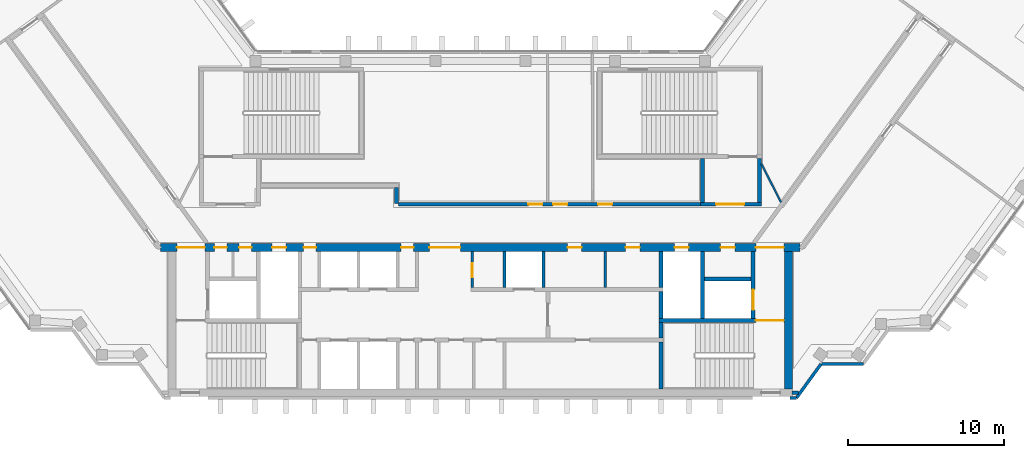
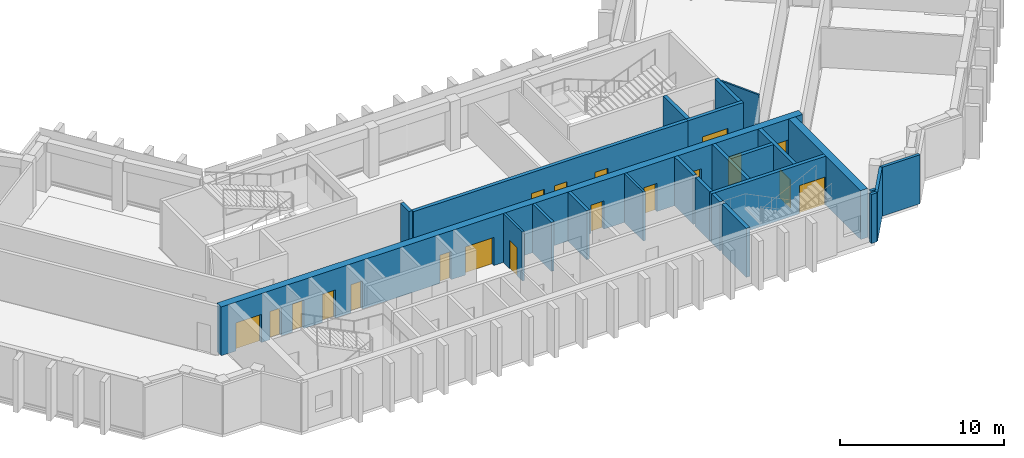
# One storey, part 5 of 8: 24 walls, 19 doors, 19 openings.
"""IFC4 building model written with IfcOpenShell, lengths in metres."""

from ifc_helpers import new_model, si_unit, direction, frame, frame_2d, origin, place, context, subcontext, project, spatial, rectangle, extrude, material, layer, layer_set, type_object, element, fill, save


model = new_model("IFC4")

# Units and contexts
model_context = context("Model", 3, precision=1e-05, world=origin(), true_north=direction((0.0, 1.0)))
body_context = subcontext(model_context, "Body", "Model", "MODEL_VIEW")
ifc_project = project(units=[si_unit("LENGTHUNIT", "METRE"), si_unit("AREAUNIT", "SQUARE_METRE"), si_unit("VOLUMEUNIT", "CUBIC_METRE"), si_unit("PLANEANGLEUNIT", "RADIAN"), si_unit("MASSUNIT", "GRAM", prefix="KILO")], contexts=[model_context])

# Site, building, storey
site_placement = place(None, origin())
site = spatial("IfcSite", under=ifc_project, at=site_placement, CompositionType="ELEMENT")
building_placement = place(site_placement, origin())
building = spatial("IfcBuilding", under=site, at=building_placement, Name="Quipu Civic Tower", CompositionType="ELEMENT")
storey_placement = place(building_placement, frame((0.0, 0.0, 343.0)))
storey = spatial("IfcBuildingStorey", under=building, at=storey_placement, Name="L80", CompositionType="ELEMENT", Elevation=343.0)

# Walls
ifc_material_1 = material(Name="Concrete C70/85", Category="concrete")
ifc_layer_1 = layer(ifc_material_1, 0.25)
ifc_layer_set_1 = layer_set([ifc_layer_1], Name="Concrete C70/85")
wall_type_1 = type_object("IfcWallType", Name="Core wall 250", PredefinedType="SHEAR", material=ifc_layer_set_1)
wall_1_placement = place(storey_placement, frame((11.574951171875, -10.5, 0.0), z_axis=(0.0, 0.0, 1.0), x_axis=(0.0, 1.0, 0.0)))
element("IfcWall", 1, at=wall_1_placement, inside=storey, type_object=wall_type_1, Name="Core wall", PredefinedType="SHEAR", context=body_context, shape_type="SweptSolid", body=[
    extrude(rectangle(XDim=3.0, YDim=0.25, at=frame_2d((1.5, 0.0))), origin(), (0.0, 0.0, 1.0), 3.64990234375),
])
wall_2_placement = place(storey_placement, frame((11.574951171875, -7.25, 0.0), z_axis=(0.0, 0.0, 1.0), x_axis=(0.0, 1.0, 0.0)))
element("IfcWall", 2, at=wall_2_placement, inside=storey, type_object=wall_type_1, Name="Core wall", PredefinedType="SHEAR", context=body_context, shape_type="SweptSolid", body=[
    extrude(rectangle(XDim=1.0, YDim=0.25, at=frame_2d((0.5, 0.0))), origin(), (0.0, 0.0, 1.0), 3.64990234375),
])

# Wall, opening, door
wall_3_placement = place(storey_placement, frame((19.5, -6.125, 0.0), z_axis=(0.0, 0.0, 1.0), x_axis=(-1.0, 0.0, 0.0)))
wall_3 = element("IfcWall", 3, at=wall_3_placement, inside=storey, type_object=wall_type_1, Name="Core wall", PredefinedType="SHEAR", context=body_context, shape_type="SweptSolid", body=[
    extrude(rectangle(XDim=8.050048828125, YDim=0.25, at=frame_2d((4.02490234375, 0.0))), origin(), (0.0, 0.0, 1.0), 3.64990234375),
])
opening_1_placement = place(wall_3_placement, frame((0.050048828125, 0.0, 0.0)))
opening_1 = element("IfcOpeningElement", 4, at=opening_1_placement, cuts=wall_3, Name="Opening CD-08", PredefinedType="OPENING", context=body_context, shape_type="SweptSolid", body=[
    extrude(rectangle(XDim=1.800048828125, YDim=2.10009765625, at=frame_2d((0.89990234375, 1.050048828125))), frame((0.0, 0.135009765625, 0.0), z_axis=(0.0, -1.0, 0.0), x_axis=(1.0, 0.0, 0.0)), (0.0, 0.0, 1.0), 0.27001953125),
])
ifc_material_2 = material(Name="Fire rated steel door", Category="steel")
door_type_1 = type_object("IfcDoorType", Name="Fire door FD90 double 1800 x 2100", OperationType="NOTDEFINED", PredefinedType="DOOR", material=ifc_material_2)
door_1_placement = place(opening_1_placement, origin())
door_1 = element("IfcDoor", 5, at=door_1_placement, inside=storey, type_object=door_type_1, Name="Door", OperationType="DOUBLE_DOOR_SINGLE_SWING", OverallHeight=2.10009765625, OverallWidth=1.800048828125, PredefinedType="DOOR", context=body_context, shape_type="SweptSolid", body=[
    extrude(rectangle(XDim=1.800048828125, YDim=2.10009765625, at=frame_2d((0.89990234375, 1.050048828125))), frame((0.0, 0.02490234375, 0.0), z_axis=(0.0, -1.0, 0.0), x_axis=(1.0, 0.0, 0.0)), (0.0, 0.0, 1.0), 0.050048828125),
])
fill(opening_1, door_1)

# Walls
wall_4_placement = place(storey_placement, frame((11.574951171875, -6.0, 0.0), z_axis=(0.0, 0.0, 1.0), x_axis=(0.0, 1.0, 0.0)))
element("IfcWall", 6, at=wall_4_placement, inside=storey, type_object=wall_type_1, Name="Core wall", PredefinedType="SHEAR", context=body_context, shape_type="SweptSolid", body=[
    extrude(rectangle(XDim=1.75, YDim=0.25, at=frame_2d((0.875, 0.0))), origin(), (0.0, 0.0, 1.0), 3.64990234375),
])
wall_5_placement = place(storey_placement, frame((14.22509765625, -6.0, 0.0), z_axis=(0.0, 0.0, 1.0), x_axis=(0.0, 1.0, 0.0)))
element("IfcWall", 7, at=wall_5_placement, inside=storey, type_object=wall_type_1, Name="Core wall", PredefinedType="SHEAR", context=body_context, shape_type="SweptSolid", body=[
    extrude(rectangle(XDim=4.300048828125, YDim=0.25, at=frame_2d((2.14990234375, 0.0))), origin(), (0.0, 0.0, 1.0), 3.64990234375),
])

# Wall, opening, door
wall_6_placement = place(storey_placement, frame((17.47509765625, -6.0, 0.0), z_axis=(0.0, 0.0, 1.0), x_axis=(0.0, 1.0, 0.0)))
wall_6 = element("IfcWall", 8, at=wall_6_placement, inside=storey, type_object=wall_type_1, Name="Core wall", PredefinedType="SHEAR", context=body_context, shape_type="SweptSolid", body=[
    extrude(rectangle(XDim=4.300048828125, YDim=0.25, at=frame_2d((2.14990234375, 0.0))), origin(), (0.0, 0.0, 1.0), 3.64990234375),
])
opening_2_placement = place(wall_6_placement, frame((0.550048828125, 0.0, 0.0)))
opening_2 = element("IfcOpeningElement", 9, at=opening_2_placement, cuts=wall_6, Name="Opening LD-FF2", PredefinedType="OPENING", context=body_context, shape_type="SweptSolid", body=[
    extrude(rectangle(XDim=1.300048828125, YDim=2.10009765625, at=frame_2d((0.64990234375, 1.050048828125))), frame((0.0, 0.135009765625, 0.0), z_axis=(0.0, -1.0, 0.0), x_axis=(1.0, 0.0, 0.0)), (0.0, 0.0, 1.0), 0.27001953125),
])
ifc_material_3 = material(Name="Stainless steel", Category="steel")
door_type_2 = type_object("IfcDoorType", Name="Lift landing door 1300 x 2100", OperationType="DOUBLE_DOOR_SLIDING", PredefinedType="DOOR", material=ifc_material_3)
door_2_placement = place(opening_2_placement, origin())
door_2 = element("IfcDoor", 10, at=door_2_placement, inside=storey, type_object=door_type_2, Name="Landing door FF2", OperationType="DOUBLE_DOOR_SLIDING", OverallHeight=2.10009765625, OverallWidth=1.300048828125, PredefinedType="DOOR", context=body_context, shape_type="SweptSolid", body=[
    extrude(rectangle(XDim=1.300048828125, YDim=2.10009765625, at=frame_2d((0.64990234375, 1.050048828125))), frame((0.0, 0.02490234375, 0.0), z_axis=(0.0, -1.0, 0.0), x_axis=(1.0, 0.0, 0.0)), (0.0, 0.0, 1.0), 0.050048828125),
])
fill(opening_2, door_2)

# Walls
wall_7_placement = place(storey_placement, frame((11.574951171875, -4.0, 0.0), z_axis=(0.0, 0.0, 1.0), x_axis=(0.0, 1.0, 0.0)))
element("IfcWall", 11, at=wall_7_placement, inside=storey, type_object=wall_type_1, Name="Core wall", PredefinedType="SHEAR", context=body_context, shape_type="SweptSolid", body=[
    extrude(rectangle(XDim=2.300048828125, YDim=0.25, at=frame_2d((1.14990234375, 0.0))), origin(), (0.0, 0.0, 1.0), 3.64990234375),
])
wall_8_placement = place(storey_placement, frame((14.35009765625, -3.47509765625, 0.0), z_axis=(0.0, 0.0, 1.0), x_axis=(1.0, 0.0, 0.0)))
element("IfcWall", 12, at=wall_8_placement, inside=storey, type_object=wall_type_1, Name="Core wall", PredefinedType="SHEAR", context=body_context, shape_type="SweptSolid", body=[
    extrude(rectangle(XDim=3.0, YDim=0.25, at=frame_2d((1.5, 0.0))), origin(), (0.0, 0.0, 1.0), 3.64990234375),
])

# Wall, opening, door
wall_9_placement = place(storey_placement, frame((14.10009765625, 1.324951171875, 0.0), z_axis=(0.0, 0.0, 1.0), x_axis=(1.0, 0.0, 0.0)))
wall_9 = element("IfcWall", 13, at=wall_9_placement, inside=storey, type_object=wall_type_1, Name="Core wall", PredefinedType="SHEAR", context=body_context, shape_type="SweptSolid", body=[
    extrude(rectangle(XDim=3.89990234375, YDim=0.25, at=frame_2d((1.949951171875, 0.0))), origin(), (0.0, 0.0, 1.0), 3.64990234375),
])
opening_3_placement = place(wall_9_placement, frame((1.0, 0.0, 0.0)))
opening_3 = element("IfcOpeningElement", 14, at=opening_3_placement, cuts=wall_9, Name="Opening CD-25", PredefinedType="OPENING", context=body_context, shape_type="SweptSolid", body=[
    extrude(rectangle(XDim=1.800048828125, YDim=2.10009765625, at=frame_2d((0.89990234375, 1.050048828125))), frame((0.0, 0.135009765625, 0.0), z_axis=(0.0, -1.0, 0.0), x_axis=(1.0, 0.0, 0.0)), (0.0, 0.0, 1.0), 0.27001953125),
])
door_3_placement = place(opening_3_placement, origin())
door_3 = element("IfcDoor", 15, at=door_3_placement, inside=storey, type_object=door_type_1, Name="Lobby door", OperationType="DOUBLE_DOOR_SINGLE_SWING", OverallHeight=2.10009765625, OverallWidth=1.800048828125, PredefinedType="DOOR", context=body_context, shape_type="SweptSolid", body=[
    extrude(rectangle(XDim=1.800048828125, YDim=2.10009765625, at=frame_2d((0.89990234375, 1.050048828125))), frame((0.0, 0.02490234375, 0.0), z_axis=(0.0, -1.0, 0.0), x_axis=(1.0, 0.0, 0.0)), (0.0, 0.0, 1.0), 0.050048828125),
])
fill(opening_3, door_3)

# Walls
for number, where, z_axis, x_axis, name in (
    (16, (14.22509765625, 1.449951171875, 0.0), (0.0, 0.0, 1.0), (0.0, 1.0, 0.0), "Core wall"),
    (17, (17.875, 1.449951171875, 0.0), (0.0, 0.0, 1.0), (0.0, 1.0, 0.0), "Core wall"),
):
    element("IfcWall", number, at=place(storey_placement, frame(where, z_axis=z_axis, x_axis=x_axis)), inside=storey, type_object=wall_type_1, Name=name, PredefinedType="SHEAR", context=body_context, shape_type="SweptSolid", body=[
        extrude(rectangle(XDim=2.800048828125, YDim=0.25, at=frame_2d((1.39990234375, 0.0))), origin(), (0.0, 0.0, 1.0), 3.64990234375),
    ])
ifc_material_4 = material(Name="Concrete C70/85", Category="concrete")
ifc_layer_2 = layer(ifc_material_4, 0.5)
ifc_layer_set_2 = layer_set([ifc_layer_2], Name="Concrete C70/85")
wall_type_2 = type_object("IfcWallType", Name="Core wall 500", PredefinedType="SHEAR", material=ifc_layer_set_2)
wall_10_placement = place(storey_placement, frame((19.75, -10.5, 0.0), z_axis=(0.0, 0.0, 1.0), x_axis=(0.0, 1.0, 0.0)))
element("IfcWall", 18, at=wall_10_placement, inside=storey, type_object=wall_type_2, Name="Core wall", PredefinedType="SHEAR", context=body_context, shape_type="SweptSolid", body=[
    extrude(rectangle(XDim=8.800048828125, YDim=0.5, at=frame_2d((4.39990234375, 0.0))), origin(), (0.0, 0.0, 1.0), 3.64990234375),
])

# Wall, openings, doors
wall_11_placement = place(storey_placement, frame((20.489990234375, -1.449951171875, 0.0), z_axis=(0.0, 0.0, 1.0), x_axis=(-1.0, 0.0, 0.0)))
wall_11 = element("IfcWall", 19, at=wall_11_placement, inside=storey, type_object=wall_type_2, Name="Core wall", PredefinedType="SHEAR", context=body_context, shape_type="SweptSolid", body=[
    extrude(rectangle(XDim=40.97998046875, YDim=0.5, at=frame_2d((20.489990234375, 0.0))), origin(), (0.0, 0.0, 1.0), 3.64990234375),
])
opening_4_placement = place(wall_11_placement, frame((38.139892578125, 0.0, 0.0)))
opening_4 = element("IfcOpeningElement", 20, at=opening_4_placement, cuts=wall_11, Name="Opening CD-11", PredefinedType="OPENING", context=body_context, shape_type="SweptSolid", body=[
    extrude(rectangle(XDim=1.800048828125, YDim=2.10009765625, at=frame_2d((0.89990234375, 1.050048828125))), frame((0.0, 0.260009765625, 0.0), z_axis=(0.0, -1.0, 0.0), x_axis=(1.0, 0.0, 0.0)), (0.0, 0.0, 1.0), 0.52001953125),
])
opening_5_placement = place(wall_11_placement, frame((36.7275390625, 0.0, 0.0)))
opening_5 = element("IfcOpeningElement", 21, at=opening_5_placement, cuts=wall_11, Name="Opening CD-12", PredefinedType="OPENING", context=body_context, shape_type="SweptSolid", body=[
    extrude(rectangle(XDim=0.800048828125, YDim=2.10009765625, at=frame_2d((0.39990234375, 1.050048828125))), frame((0.0, 0.260009765625, 0.0), z_axis=(0.0, -1.0, 0.0), x_axis=(1.0, 0.0, 0.0)), (0.0, 0.0, 1.0), 0.52001953125),
])
opening_6_placement = place(wall_11_placement, frame((35.152587890625, 0.0, 0.0)))
opening_6 = element("IfcOpeningElement", 22, at=opening_6_placement, cuts=wall_11, Name="Opening CD-13", PredefinedType="OPENING", context=body_context, shape_type="SweptSolid", body=[
    extrude(rectangle(XDim=0.800048828125, YDim=2.10009765625, at=frame_2d((0.39990234375, 1.050048828125))), frame((0.0, 0.260009765625, 0.0), z_axis=(0.0, -1.0, 0.0), x_axis=(1.0, 0.0, 0.0)), (0.0, 0.0, 1.0), 0.52001953125),
])
opening_7_placement = place(wall_11_placement, frame((32.93994140625, 0.0, 0.0)))
opening_7 = element("IfcOpeningElement", 23, at=opening_7_placement, cuts=wall_11, Name="Opening CD-14", PredefinedType="OPENING", context=body_context, shape_type="SweptSolid", body=[
    extrude(rectangle(XDim=0.89990234375, YDim=2.10009765625, at=frame_2d((0.449951171875, 1.050048828125))), frame((0.0, 0.260009765625, 0.0), z_axis=(0.0, -1.0, 0.0), x_axis=(1.0, 0.0, 0.0)), (0.0, 0.0, 1.0), 0.52001953125),
])
opening_8_placement = place(wall_11_placement, frame((31.014892578125, 0.0, 0.0)))
opening_8 = element("IfcOpeningElement", 24, at=opening_8_placement, cuts=wall_11, Name="Opening CD-15", PredefinedType="OPENING", context=body_context, shape_type="SweptSolid", body=[
    extrude(rectangle(XDim=0.800048828125, YDim=2.10009765625, at=frame_2d((0.39990234375, 1.050048828125))), frame((0.0, 0.260009765625, 0.0), z_axis=(0.0, -1.0, 0.0), x_axis=(1.0, 0.0, 0.0)), (0.0, 0.0, 1.0), 0.52001953125),
])
opening_9_placement = place(wall_11_placement, frame((24.764892578125, 0.0, 0.0)))
opening_9 = element("IfcOpeningElement", 25, at=opening_9_placement, cuts=wall_11, Name="Opening CD-16", PredefinedType="OPENING", context=body_context, shape_type="SweptSolid", body=[
    extrude(rectangle(XDim=0.800048828125, YDim=2.10009765625, at=frame_2d((0.39990234375, 1.050048828125))), frame((0.0, 0.260009765625, 0.0), z_axis=(0.0, -1.0, 0.0), x_axis=(1.0, 0.0, 0.0)), (0.0, 0.0, 1.0), 0.52001953125),
])
opening_10_placement = place(wall_11_placement, frame((21.764892578125, 0.0, 0.0)))
opening_10 = element("IfcOpeningElement", 26, at=opening_10_placement, cuts=wall_11, Name="Opening CD-17", PredefinedType="OPENING", context=body_context, shape_type="SweptSolid", body=[
    extrude(rectangle(XDim=2.0, YDim=2.10009765625, at=frame_2d((1.0, 1.050048828125))), frame((0.0, 0.260009765625, 0.0), z_axis=(0.0, -1.0, 0.0), x_axis=(1.0, 0.0, 0.0)), (0.0, 0.0, 1.0), 0.52001953125),
])
opening_11_placement = place(wall_11_placement, frame((14.00244140625, 0.0, 0.0)))
opening_11 = element("IfcOpeningElement", 27, at=opening_11_placement, cuts=wall_11, Name="Opening CD-18", PredefinedType="OPENING", context=body_context, shape_type="SweptSolid", body=[
    extrude(rectangle(XDim=0.89990234375, YDim=2.10009765625, at=frame_2d((0.449951171875, 1.050048828125))), frame((0.0, 0.260009765625, 0.0), z_axis=(0.0, -1.0, 0.0), x_axis=(1.0, 0.0, 0.0)), (0.0, 0.0, 1.0), 0.52001953125),
])
opening_12_placement = place(wall_11_placement, frame((10.277587890625, 0.0, 0.0)))
opening_12 = element("IfcOpeningElement", 28, at=opening_12_placement, cuts=wall_11, Name="Opening CD-19", PredefinedType="OPENING", context=body_context, shape_type="SweptSolid", body=[
    extrude(rectangle(XDim=0.89990234375, YDim=2.10009765625, at=frame_2d((0.449951171875, 1.050048828125))), frame((0.0, 0.260009765625, 0.0), z_axis=(0.0, -1.0, 0.0), x_axis=(1.0, 0.0, 0.0)), (0.0, 0.0, 1.0), 0.52001953125),
])
opening_13_placement = place(wall_11_placement, frame((7.139892578125, 0.0, 0.0)))
opening_13 = element("IfcOpeningElement", 29, at=opening_13_placement, cuts=wall_11, Name="Opening CD-20", PredefinedType="OPENING", context=body_context, shape_type="SweptSolid", body=[
    extrude(rectangle(XDim=0.89990234375, YDim=2.10009765625, at=frame_2d((0.449951171875, 1.050048828125))), frame((0.0, 0.260009765625, 0.0), z_axis=(0.0, -1.0, 0.0), x_axis=(1.0, 0.0, 0.0)), (0.0, 0.0, 1.0), 0.52001953125),
])
opening_14_placement = place(wall_11_placement, frame((4.18994140625, 0.0, 0.0)))
opening_14 = element("IfcOpeningElement", 30, at=opening_14_placement, cuts=wall_11, Name="Opening CD-21", PredefinedType="OPENING", context=body_context, shape_type="SweptSolid", body=[
    extrude(rectangle(XDim=0.89990234375, YDim=2.10009765625, at=frame_2d((0.449951171875, 1.050048828125))), frame((0.0, 0.260009765625, 0.0), z_axis=(0.0, -1.0, 0.0), x_axis=(1.0, 0.0, 0.0)), (0.0, 0.0, 1.0), 0.52001953125),
])
opening_15_placement = place(wall_11_placement, frame((1.0400390625, 0.0, 0.0)))
opening_15 = element("IfcOpeningElement", 31, at=opening_15_placement, cuts=wall_11, Name="Opening CD-22", PredefinedType="OPENING", context=body_context, shape_type="SweptSolid", body=[
    extrude(rectangle(XDim=1.800048828125, YDim=2.10009765625, at=frame_2d((0.89990234375, 1.050048828125))), frame((0.0, 0.260009765625, 0.0), z_axis=(0.0, -1.0, 0.0), x_axis=(1.0, 0.0, 0.0)), (0.0, 0.0, 1.0), 0.52001953125),
])
ifc_material_5 = material(Name="Fire rated steel door", Category="steel")
door_type_3 = type_object("IfcDoorType", Name="Fire door FD60 800 x 2100", OperationType="NOTDEFINED", PredefinedType="DOOR", material=ifc_material_5)
door_4_placement = place(opening_5_placement, origin())
door_4 = element("IfcDoor", 32, at=door_4_placement, inside=storey, type_object=door_type_3, Name="Door", OperationType="SINGLE_SWING_RIGHT", OverallHeight=2.10009765625, OverallWidth=0.800048828125, PredefinedType="DOOR", context=body_context, shape_type="SweptSolid", body=[
    extrude(rectangle(XDim=0.800048828125, YDim=2.10009765625, at=frame_2d((0.39990234375, 1.050048828125))), frame((0.0, 0.02490234375, 0.0), z_axis=(0.0, -1.0, 0.0), x_axis=(1.0, 0.0, 0.0)), (0.0, 0.0, 1.0), 0.050048828125),
])
fill(opening_5, door_4)
door_5_placement = place(opening_6_placement, origin())
door_5 = element("IfcDoor", 33, at=door_5_placement, inside=storey, type_object=door_type_3, Name="Door", OperationType="SINGLE_SWING_RIGHT", OverallHeight=2.10009765625, OverallWidth=0.800048828125, PredefinedType="DOOR", context=body_context, shape_type="SweptSolid", body=[
    extrude(rectangle(XDim=0.800048828125, YDim=2.10009765625, at=frame_2d((0.39990234375, 1.050048828125))), frame((0.0, 0.02490234375, 0.0), z_axis=(0.0, -1.0, 0.0), x_axis=(1.0, 0.0, 0.0)), (0.0, 0.0, 1.0), 0.050048828125),
])
fill(opening_6, door_5)
door_6_placement = place(opening_8_placement, origin())
door_6 = element("IfcDoor", 34, at=door_6_placement, inside=storey, type_object=door_type_3, Name="Door", OperationType="SINGLE_SWING_RIGHT", OverallHeight=2.10009765625, OverallWidth=0.800048828125, PredefinedType="DOOR", context=body_context, shape_type="SweptSolid", body=[
    extrude(rectangle(XDim=0.800048828125, YDim=2.10009765625, at=frame_2d((0.39990234375, 1.050048828125))), frame((0.0, 0.02490234375, 0.0), z_axis=(0.0, -1.0, 0.0), x_axis=(1.0, 0.0, 0.0)), (0.0, 0.0, 1.0), 0.050048828125),
])
fill(opening_8, door_6)
door_7_placement = place(opening_9_placement, origin())
door_7 = element("IfcDoor", 35, at=door_7_placement, inside=storey, type_object=door_type_3, Name="Door", OperationType="SINGLE_SWING_RIGHT", OverallHeight=2.10009765625, OverallWidth=0.800048828125, PredefinedType="DOOR", context=body_context, shape_type="SweptSolid", body=[
    extrude(rectangle(XDim=0.800048828125, YDim=2.10009765625, at=frame_2d((0.39990234375, 1.050048828125))), frame((0.0, 0.02490234375, 0.0), z_axis=(0.0, -1.0, 0.0), x_axis=(1.0, 0.0, 0.0)), (0.0, 0.0, 1.0), 0.050048828125),
])
fill(opening_9, door_7)
ifc_material_6 = material(Name="Fire rated steel door", Category="steel")
door_type_4 = type_object("IfcDoorType", Name="Fire door FD60 900 x 2100", OperationType="NOTDEFINED", PredefinedType="DOOR", material=ifc_material_6)
door_8_placement = place(opening_7_placement, origin())
door_8 = element("IfcDoor", 36, at=door_8_placement, inside=storey, type_object=door_type_4, Name="Riser door", OperationType="SINGLE_SWING_RIGHT", OverallHeight=2.10009765625, OverallWidth=0.89990234375, PredefinedType="DOOR", context=body_context, shape_type="SweptSolid", body=[
    extrude(rectangle(XDim=0.89990234375, YDim=2.10009765625, at=frame_2d((0.449951171875, 1.050048828125))), frame((0.0, 0.02490234375, 0.0), z_axis=(0.0, -1.0, 0.0), x_axis=(1.0, 0.0, 0.0)), (0.0, 0.0, 1.0), 0.050048828125),
])
fill(opening_7, door_8)
door_9_placement = place(opening_11_placement, origin())
door_9 = element("IfcDoor", 37, at=door_9_placement, inside=storey, type_object=door_type_4, Name="Door", OperationType="SINGLE_SWING_LEFT", OverallHeight=2.10009765625, OverallWidth=0.89990234375, PredefinedType="DOOR", context=body_context, shape_type="SweptSolid", body=[
    extrude(rectangle(XDim=0.89990234375, YDim=2.10009765625, at=frame_2d((0.449951171875, 1.050048828125))), frame((0.0, 0.02490234375, 0.0), z_axis=(0.0, -1.0, 0.0), x_axis=(1.0, 0.0, 0.0)), (0.0, 0.0, 1.0), 0.050048828125),
])
fill(opening_11, door_9)
door_10_placement = place(opening_12_placement, origin())
door_10 = element("IfcDoor", 38, at=door_10_placement, inside=storey, type_object=door_type_4, Name="Door", OperationType="SINGLE_SWING_LEFT", OverallHeight=2.10009765625, OverallWidth=0.89990234375, PredefinedType="DOOR", context=body_context, shape_type="SweptSolid", body=[
    extrude(rectangle(XDim=0.89990234375, YDim=2.10009765625, at=frame_2d((0.449951171875, 1.050048828125))), frame((0.0, 0.02490234375, 0.0), z_axis=(0.0, -1.0, 0.0), x_axis=(1.0, 0.0, 0.0)), (0.0, 0.0, 1.0), 0.050048828125),
])
fill(opening_12, door_10)
door_11_placement = place(opening_13_placement, origin())
door_11 = element("IfcDoor", 39, at=door_11_placement, inside=storey, type_object=door_type_4, Name="Riser door", OperationType="SINGLE_SWING_LEFT", OverallHeight=2.10009765625, OverallWidth=0.89990234375, PredefinedType="DOOR", context=body_context, shape_type="SweptSolid", body=[
    extrude(rectangle(XDim=0.89990234375, YDim=2.10009765625, at=frame_2d((0.449951171875, 1.050048828125))), frame((0.0, 0.02490234375, 0.0), z_axis=(0.0, -1.0, 0.0), x_axis=(1.0, 0.0, 0.0)), (0.0, 0.0, 1.0), 0.050048828125),
])
fill(opening_13, door_11)
door_12_placement = place(opening_14_placement, origin())
door_12 = element("IfcDoor", 40, at=door_12_placement, inside=storey, type_object=door_type_4, Name="Door", OperationType="SINGLE_SWING_LEFT", OverallHeight=2.10009765625, OverallWidth=0.89990234375, PredefinedType="DOOR", context=body_context, shape_type="SweptSolid", body=[
    extrude(rectangle(XDim=0.89990234375, YDim=2.10009765625, at=frame_2d((0.449951171875, 1.050048828125))), frame((0.0, 0.02490234375, 0.0), z_axis=(0.0, -1.0, 0.0), x_axis=(1.0, 0.0, 0.0)), (0.0, 0.0, 1.0), 0.050048828125),
])
fill(opening_14, door_12)
door_13_placement = place(opening_4_placement, origin())
door_13 = element("IfcDoor", 41, at=door_13_placement, inside=storey, type_object=door_type_1, Name="Lobby door", OperationType="DOUBLE_DOOR_SINGLE_SWING", OverallHeight=2.10009765625, OverallWidth=1.800048828125, PredefinedType="DOOR", context=body_context, shape_type="SweptSolid", body=[
    extrude(rectangle(XDim=1.800048828125, YDim=2.10009765625, at=frame_2d((0.89990234375, 1.050048828125))), frame((0.0, 0.02490234375, 0.0), z_axis=(0.0, -1.0, 0.0), x_axis=(1.0, 0.0, 0.0)), (0.0, 0.0, 1.0), 0.050048828125),
])
fill(opening_4, door_13)
door_14_placement = place(opening_15_placement, origin())
door_14 = element("IfcDoor", 42, at=door_14_placement, inside=storey, type_object=door_type_1, Name="Lobby door", OperationType="DOUBLE_DOOR_SINGLE_SWING", OverallHeight=2.10009765625, OverallWidth=1.800048828125, PredefinedType="DOOR", context=body_context, shape_type="SweptSolid", body=[
    extrude(rectangle(XDim=1.800048828125, YDim=2.10009765625, at=frame_2d((0.89990234375, 1.050048828125))), frame((0.0, 0.02490234375, 0.0), z_axis=(0.0, -1.0, 0.0), x_axis=(1.0, 0.0, 0.0)), (0.0, 0.0, 1.0), 0.050048828125),
])
fill(opening_15, door_14)
ifc_material_7 = material(Name="Fire rated steel door", Category="steel")
door_type_5 = type_object("IfcDoorType", Name="Fire door FD90 double 2000 x 2100", OperationType="NOTDEFINED", PredefinedType="DOOR", material=ifc_material_7)
door_15_placement = place(opening_10_placement, origin())
door_15 = element("IfcDoor", 43, at=door_15_placement, inside=storey, type_object=door_type_5, Name="Lobby door", OperationType="DOUBLE_DOOR_SINGLE_SWING", OverallHeight=2.10009765625, OverallWidth=2.0, PredefinedType="DOOR", context=body_context, shape_type="SweptSolid", body=[
    extrude(rectangle(XDim=2.0, YDim=2.10009765625, at=frame_2d((1.0, 1.050048828125))), frame((0.0, 0.02490234375, 0.0), z_axis=(0.0, -1.0, 0.0), x_axis=(1.0, 0.0, 0.0)), (0.0, 0.0, 1.0), 0.050048828125),
])
fill(opening_10, door_15)

# Wall
ifc_material_8 = material(Name="Concrete C50/60", Category="concrete")
ifc_layer_3 = layer(ifc_material_8, 0.25)
ifc_layer_set_3 = layer_set([ifc_layer_3], Name="Concrete C50/60")
wall_type_3 = type_object("IfcWallType", Name="Corridor wall 250 concrete", PredefinedType="SOLIDWALL", material=ifc_layer_set_3)
wall_12_placement = place(storey_placement, frame((-5.375, 2.39990234375, 0.0), z_axis=(0.0, 0.0, 1.0), x_axis=(0.0, -1.0, 0.0)))
element("IfcWall", 44, at=wall_12_placement, inside=storey, type_object=wall_type_3, Name="Corridor wall C08", PredefinedType="SOLIDWALL", context=body_context, shape_type="SweptSolid", body=[
    extrude(rectangle(XDim=1.041259765625, YDim=0.25, at=frame_2d((0.5205078125, 0.0))), origin(), (0.0, 0.0, 1.0), 3.64990234375),
])

# Wall, openings, doors
wall_13_placement = place(storey_placement, frame((-5.246337890625, 1.324951171875, 0.0), z_axis=(0.0, 0.0, 1.0), x_axis=(1.0, 0.0, 0.0)))
wall_13 = element("IfcWall", 45, at=wall_13_placement, inside=storey, type_object=wall_type_3, Name="Corridor wall C09", PredefinedType="SOLIDWALL", context=body_context, shape_type="SweptSolid", body=[
    extrude(rectangle(XDim=19.33642578125, YDim=0.25, at=frame_2d((9.668212890625, 0.0))), origin(), (0.0, 0.0, 1.0), 3.64990234375),
])
opening_16_placement = place(wall_13_placement, frame((8.315185546875, 0.0, 0.0)))
opening_16 = element("IfcOpeningElement", 46, at=opening_16_placement, cuts=wall_13, Name="Opening D005", PredefinedType="OPENING", context=body_context, shape_type="SweptSolid", body=[
    extrude(rectangle(XDim=0.89990234375, YDim=2.10009765625, at=frame_2d((0.449951171875, 1.050048828125))), frame((0.0, 0.135009765625, 0.0), z_axis=(0.0, -1.0, 0.0), x_axis=(1.0, 0.0, 0.0)), (0.0, 0.0, 1.0), 0.27001953125),
])
opening_17_placement = place(wall_13_placement, frame((9.915283203125, 0.0, 0.0)))
opening_17 = element("IfcOpeningElement", 47, at=opening_17_placement, cuts=wall_13, Name="Opening D006", PredefinedType="OPENING", context=body_context, shape_type="SweptSolid", body=[
    extrude(rectangle(XDim=0.89990234375, YDim=2.10009765625, at=frame_2d((0.449951171875, 1.050048828125))), frame((0.0, 0.135009765625, 0.0), z_axis=(0.0, -1.0, 0.0), x_axis=(1.0, 0.0, 0.0)), (0.0, 0.0, 1.0), 0.27001953125),
])
opening_18_placement = place(wall_13_placement, frame((12.794189453125, 0.0, 0.0)))
opening_18 = element("IfcOpeningElement", 48, at=opening_18_placement, cuts=wall_13, Name="Opening D007", PredefinedType="OPENING", context=body_context, shape_type="SweptSolid", body=[
    extrude(rectangle(XDim=0.89990234375, YDim=2.10009765625, at=frame_2d((0.449951171875, 1.050048828125))), frame((0.0, 0.135009765625, 0.0), z_axis=(0.0, -1.0, 0.0), x_axis=(1.0, 0.0, 0.0)), (0.0, 0.0, 1.0), 0.27001953125),
])
ifc_material_9 = material(Name="Fire rated timber door set with metal frame", Category="wood")
door_type_6 = type_object("IfcDoorType", Name="Single door 900 x 2100 FD60", OperationType="NOTDEFINED", PredefinedType="DOOR", material=ifc_material_9)
door_16_placement = place(opening_16_placement, origin())
door_16 = element("IfcDoor", 49, at=door_16_placement, inside=storey, type_object=door_type_6, Name="Door D005", OperationType="SINGLE_SWING_RIGHT", OverallHeight=2.10009765625, OverallWidth=0.89990234375, PredefinedType="DOOR", context=body_context, shape_type="SweptSolid", body=[
    extrude(rectangle(XDim=0.89990234375, YDim=2.10009765625, at=frame_2d((0.449951171875, 1.050048828125))), frame((0.0, 0.02490234375, 0.0), z_axis=(0.0, -1.0, 0.0), x_axis=(1.0, 0.0, 0.0)), (0.0, 0.0, 1.0), 0.050048828125),
])
fill(opening_16, door_16)
door_17_placement = place(opening_17_placement, origin())
door_17 = element("IfcDoor", 50, at=door_17_placement, inside=storey, type_object=door_type_6, Name="Door D006", OperationType="SINGLE_SWING_LEFT", OverallHeight=2.10009765625, OverallWidth=0.89990234375, PredefinedType="DOOR", context=body_context, shape_type="SweptSolid", body=[
    extrude(rectangle(XDim=0.89990234375, YDim=2.10009765625, at=frame_2d((0.449951171875, 1.050048828125))), frame((0.0, 0.02490234375, 0.0), z_axis=(0.0, -1.0, 0.0), x_axis=(1.0, 0.0, 0.0)), (0.0, 0.0, 1.0), 0.050048828125),
])
fill(opening_17, door_17)
door_18_placement = place(opening_18_placement, origin())
door_18 = element("IfcDoor", 51, at=door_18_placement, inside=storey, type_object=door_type_6, Name="Door D007", OperationType="SINGLE_SWING_LEFT", OverallHeight=2.10009765625, OverallWidth=0.89990234375, PredefinedType="DOOR", context=body_context, shape_type="SweptSolid", body=[
    extrude(rectangle(XDim=0.89990234375, YDim=2.10009765625, at=frame_2d((0.449951171875, 1.050048828125))), frame((0.0, 0.02490234375, 0.0), z_axis=(0.0, -1.0, 0.0), x_axis=(1.0, 0.0, 0.0)), (0.0, 0.0, 1.0), 0.050048828125),
])
fill(opening_18, door_18)

# Wall
ifc_material_10 = material(Name="Gypsum plasterboard on light gauge framing")
ifc_layer_4 = layer(ifc_material_10, 0.1201171875)
ifc_layer_set_4 = layer_set([ifc_layer_4], Name="Gypsum plasterboard on light gauge framing")
wall_type_4 = type_object("IfcWallType", Name="Partition 120 plasterboard", PredefinedType="PARTITIONING", material=ifc_layer_set_4)
wall_14_placement = place(storey_placement, frame((18.0, 3.925048828125, 0.0), z_axis=(0.0, 0.0, 1.0), x_axis=(0.453950796792, -0.891026752736, 0.0)))
element("IfcWall", 52, at=wall_14_placement, inside=storey, type_object=wall_type_4, Name="Partition P08", PredefinedType="PARTITIONING", context=body_context, shape_type="SweptSolid", body=[
    extrude(rectangle(XDim=2.77783203125, YDim=0.1201171875, at=frame_2d((1.388916015625, 0.0))), origin(), (0.0, 0.0, 1.0), 3.64990234375),
])

# Wall, opening, door
ifc_material_11 = material(Name="Gypsum board partition")
ifc_layer_5 = layer(ifc_material_11, 0.14990234375)
ifc_layer_set_5 = layer_set([ifc_layer_5], Name="Gypsum board partition")
wall_type_5 = type_object("IfcWallType", Name="Partition 150", PredefinedType="PARTITIONING", material=ifc_layer_set_5)
wall_15_placement = place(storey_placement, frame((-0.52490234375, -4.0, 0.0), z_axis=(0.0, 0.0, 1.0), x_axis=(0.0, 1.0, 0.0)))
wall_15 = element("IfcWall", 53, at=wall_15_placement, inside=storey, type_object=wall_type_5, Name="Partition", PredefinedType="PARTITIONING", context=body_context, shape_type="SweptSolid", body=[
    extrude(rectangle(XDim=2.300048828125, YDim=0.14990234375, at=frame_2d((1.14990234375, 0.0))), origin(), (0.0, 0.0, 1.0), 3.64990234375),
])
opening_19_placement = place(wall_15_placement, frame((0.64990234375, 0.0, 0.0)))
opening_19 = element("IfcOpeningElement", 54, at=opening_19_placement, cuts=wall_15, Name="Opening CD-10", PredefinedType="OPENING", context=body_context, shape_type="SweptSolid", body=[
    extrude(rectangle(XDim=0.89990234375, YDim=2.10009765625, at=frame_2d((0.449951171875, 1.050048828125))), frame((0.0, 0.0849609375, 0.0), z_axis=(0.0, -1.0, 0.0), x_axis=(1.0, 0.0, 0.0)), (0.0, 0.0, 1.0), 0.169921875),
])
door_19_placement = place(opening_19_placement, origin())
door_19 = element("IfcDoor", 55, at=door_19_placement, inside=storey, type_object=door_type_4, Name="WC door", OperationType="SINGLE_SWING_LEFT", OverallHeight=2.10009765625, OverallWidth=0.89990234375, PredefinedType="DOOR", context=body_context, shape_type="SweptSolid", body=[
    extrude(rectangle(XDim=0.89990234375, YDim=2.10009765625, at=frame_2d((0.449951171875, 1.050048828125))), frame((0.0, 0.02490234375, 0.0), z_axis=(0.0, -1.0, 0.0), x_axis=(1.0, 0.0, 0.0)), (0.0, 0.0, 1.0), 0.050048828125),
])
fill(opening_19, door_19)

# Walls
wall_16_placement = place(storey_placement, frame((8.0, -4.0, 0.0), z_axis=(0.0, 0.0, 1.0), x_axis=(0.0, 1.0, 0.0)))
element("IfcWall", 56, at=wall_16_placement, inside=storey, type_object=wall_type_5, Name="Partition", PredefinedType="PARTITIONING", context=body_context, shape_type="SweptSolid", body=[
    extrude(rectangle(XDim=2.300048828125, YDim=0.14990234375, at=frame_2d((1.14990234375, 0.0))), origin(), (0.0, 0.0, 1.0), 3.64990234375),
])
ifc_material_12 = material(Name="Precast concrete C40/50", Category="concrete")
wall_type_6 = type_object("IfcWallType", Name="Precast cladding wall", PredefinedType="SOLIDWALL", material=ifc_material_12)
wall_17_placement = place(storey_placement, frame((21.8427734375, -8.90380859375, 0.0), z_axis=(0.0, 0.0, 1.0), x_axis=(1.0, 0.0, 0.0)))
element("IfcWall", 57, at=wall_17_placement, inside=storey, type_object=wall_type_6, Name="Precast cladding wall L80 P01", PredefinedType="SOLIDWALL", context=body_context, shape_type="SweptSolid", body=[
    extrude(rectangle(XDim=2.699951171875, YDim=0.199951171875, at=frame_2d((1.35009765625, 0.0))), origin(), (0.0, 0.0, 1.0), 3.64990234375),
])
wall_18_placement = place(storey_placement, frame((19.85009765625, -11.087890625, 0.0), z_axis=(0.0, 0.0, 1.0), x_axis=(1.0, 0.0, 0.0)))
element("IfcWall", 58, at=wall_18_placement, inside=storey, type_object=wall_type_6, Name="Precast cladding wall L80 18", PredefinedType="SOLIDWALL", context=body_context, shape_type="SweptSolid", body=[
    extrude(rectangle(XDim=0.40576171875, YDim=0.199951171875, at=frame_2d((0.202880859375, 0.0))), origin(), (0.0, 0.0, 1.0), 3.64990234375),
])
wall_19_placement = place(storey_placement, frame((20.253173828125, -11.083251953125, 0.0), z_axis=(0.0, 0.0, 1.0), x_axis=(0.587766567315, 0.809030569476, 0.0)))
element("IfcWall", 59, at=wall_19_placement, inside=storey, type_object=wall_type_6, Name="Precast cladding wall L80 19", PredefinedType="SOLIDWALL", context=body_context, shape_type="SweptSolid", body=[
    extrude(rectangle(XDim=2.687744140625, YDim=0.199951171875, at=frame_2d((1.34375, 0.0))), origin(), (0.0, 0.0, 1.0), 3.64990234375),
])
wall_20_placement = place(storey_placement, frame((19.97998046875, -10.75, 0.0), z_axis=(0.0, 0.0, 1.0), x_axis=(1.0, 0.0, 0.0)))
element("IfcWall", 60, at=wall_20_placement, inside=storey, type_object=wall_type_6, Name="Precast cladding return L80 E", PredefinedType="SOLIDWALL", context=body_context, shape_type="SweptSolid", body=[
    extrude(rectangle(XDim=0.41650390625, YDim=0.199951171875, at=frame_2d((0.208251953125, 0.0))), origin(), (0.0, 0.0, 1.0), 3.64990234375),
])
ifc_material_13 = material(Name="Concrete C40/50", Category="concrete")
ifc_layer_6 = layer(ifc_material_13, 0.199951171875)
ifc_layer_set_6 = layer_set([ifc_layer_6], Name="Concrete C40/50")
wall_type_7 = type_object("IfcWallType", Name="Shaft wall 200", PredefinedType="SOLIDWALL", material=ifc_layer_set_6)
for number, where, z_axis, x_axis, name in (
    (61, (1.550048828125, -4.0, 0.0), (0.0, 0.0, 1.0), (0.0, 1.0, 0.0), "Shaft wall"),
    (62, (4.050048828125, -4.0, 0.0), (0.0, 0.0, 1.0), (0.0, 1.0, 0.0), "Shaft wall"),
):
    element("IfcWall", number, at=place(storey_placement, frame(where, z_axis=z_axis, x_axis=x_axis)), inside=storey, type_object=wall_type_7, Name=name, PredefinedType="SOLIDWALL", context=body_context, shape_type="SweptSolid", body=[
        extrude(rectangle(XDim=2.300048828125, YDim=0.199951171875, at=frame_2d((1.14990234375, 0.0))), origin(), (0.0, 0.0, 1.0), 3.64990234375),
    ])

save(model, "model.ifc")
